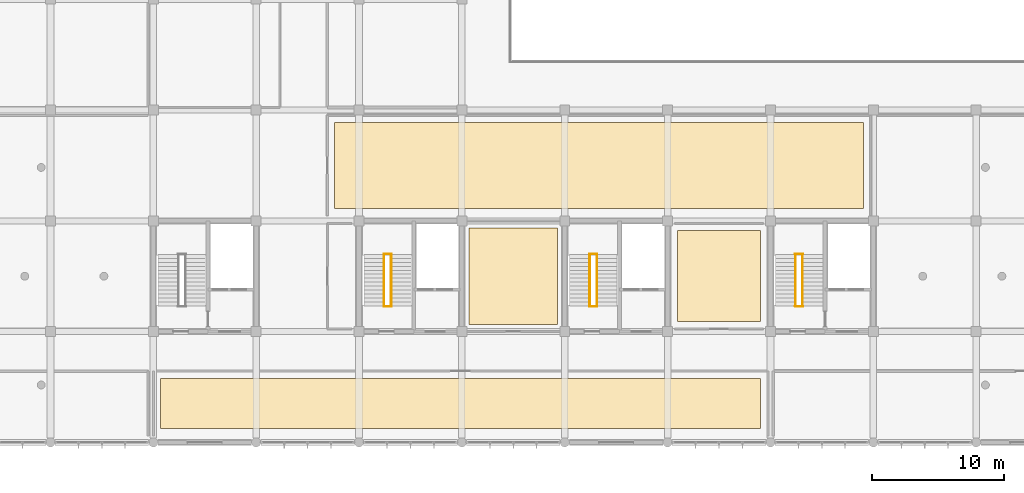
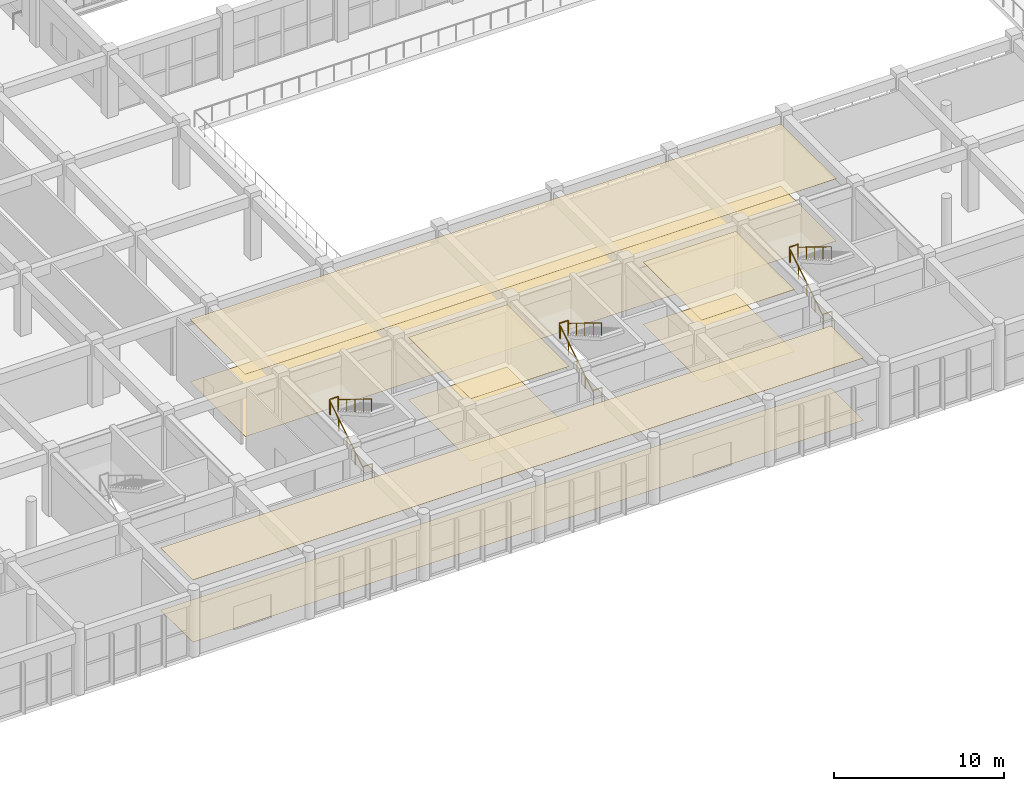
# One storey, part 171 of 175: 12 railings, 8 coverings.
"""IFC4 building model written with IfcOpenShell, lengths in metres."""

from ifc_helpers import new_model, si_unit, direction, frame, origin, origin_2d, place, context, subcontext, project, spatial, polyline, circle, hollow_circle, outline, extrude, material, layer, layer_set, material_profile, profile_set, type_object, element, save


model = new_model("IFC4")

# Units and contexts
model_context = context("Model", 3, precision=1e-05, world=origin(), true_north=direction((0.0, 1.0)))
body_context = subcontext(model_context, "Body", "Model", "MODEL_VIEW")
ifc_project = project(units=[si_unit("LENGTHUNIT", "METRE"), si_unit("AREAUNIT", "SQUARE_METRE"), si_unit("VOLUMEUNIT", "CUBIC_METRE"), si_unit("PLANEANGLEUNIT", "RADIAN"), si_unit("MASSUNIT", "GRAM", prefix="KILO")], contexts=[model_context])

# Site, building, storey
site_placement = place(None, origin())
site = spatial("IfcSite", under=ifc_project, at=site_placement, CompositionType="ELEMENT")
building_placement = place(site_placement, origin())
building = spatial("IfcBuilding", under=site, at=building_placement, Name="Zizhar Promenade General Hospital", CompositionType="ELEMENT")
storey_placement = place(building_placement, frame((0.0, 0.0, 4.800048828125)))
storey = spatial("IfcBuildingStorey", under=building, at=storey_placement, Name="L01", CompositionType="ELEMENT", Elevation=4.800048828125)

# Coverings
ifc_material_1 = material(Name="Hygienic acoustic mineral ceiling tile")
ifc_layer_1 = layer(ifc_material_1, 0.02001953125)
ifc_layer_set_1 = layer_set([ifc_layer_1], Name="Hygienic acoustic mineral ceiling tile")
covering_type_1 = type_object("IfcCoveringType", Name="COV-CLG-ACOUST-20", PredefinedType="CEILING", material=ifc_layer_set_1)
covering_1_placement = place(storey_placement, frame((0.0, 0.0, 4.4599609375)))
element("IfcCovering", 1, at=covering_1_placement, inside=storey, type_object=covering_type_1, Name="Accessible Public and Staff Toilet L01 Hygienic Ceiling", PredefinedType="CEILING", context=body_context, shape_type="SweptSolid", body=[
    extrude(outline(polyline([(70.75, 8.949951171875), (77.449951171875, 8.949951171875), (77.449951171875, 16.25), (70.75, 16.25), (70.75, 8.949951171875)])), origin(), (0.0, 0.0, 1.0), 0.02001953125),
])
covering_2_placement = place(storey_placement, frame((0.0, 0.0, 4.4599609375)))
element("IfcCovering", 2, at=covering_2_placement, inside=storey, type_object=covering_type_1, Name="Surgical High-Dependency Inpatient Ward Hygienic Ceiling", PredefinedType="CEILING", context=body_context, shape_type="SweptSolid", body=[
    extrude(outline(polyline([(47.35009765625, 1.050048828125), (92.85009765625, 1.050048828125), (92.85009765625, 4.85009765625), (47.35009765625, 4.85009765625), (47.35009765625, 1.050048828125)])), origin(), (0.0, 0.0, 1.0), 0.02001953125),
])
covering_3_placement = place(storey_placement, frame((0.0, 0.0, 4.4599609375)))
element("IfcCovering", 3, at=covering_3_placement, inside=storey, type_object=covering_type_1, Name="ICU Nurse Station and Pharmacy Satellite L01 Hygienic Ceiling", PredefinedType="CEILING", context=body_context, shape_type="SweptSolid", body=[
    extrude(outline(polyline([(86.550048828125, 9.14990234375), (92.85009765625, 9.14990234375), (92.85009765625, 16.050048828125), (86.550048828125, 16.050048828125), (86.550048828125, 9.14990234375)])), origin(), (0.0, 0.0, 1.0), 0.02001953125),
])
covering_4_placement = place(storey_placement, frame((0.0, 0.0, 4.4599609375)))
element("IfcCovering", 4, at=covering_4_placement, inside=storey, type_object=covering_type_1, Name="Clinical Haematology and Biochemistry Laboratory Hygienic Ceiling", PredefinedType="CEILING", context=body_context, shape_type="SweptSolid", body=[
    extrude(outline(polyline([(60.550048828125, 17.75), (100.64990234375, 17.75), (100.64990234375, 24.25), (60.550048828125, 24.25), (60.550048828125, 17.75)])), origin(), (0.0, 0.0, 1.0), 0.02001953125),
])
ifc_material_2 = material(Name="Seamless antimicrobial vinyl flooring")
ifc_layer_2 = layer(ifc_material_2, 0.008056640625)
ifc_layer_set_2 = layer_set([ifc_layer_2], Name="Seamless antimicrobial vinyl flooring")
covering_type_2 = type_object("IfcCoveringType", Name="COV-FLR-VINYL-08", PredefinedType="FLOORING", material=ifc_layer_set_2)
covering_5_placement = place(storey_placement, origin())
element("IfcCovering", 5, at=covering_5_placement, inside=storey, type_object=covering_type_2, Name="Accessible Public and Staff Toilet L01 Clinical Flooring", PredefinedType="FLOORING", context=body_context, shape_type="SweptSolid", body=[
    extrude(outline(polyline([(70.75, 8.949951171875), (77.449951171875, 8.949951171875), (77.449951171875, 16.25), (70.75, 16.25), (70.75, 8.949951171875)])), origin(), (0.0, 0.0, 1.0), 0.008056640625),
])
covering_6_placement = place(storey_placement, origin())
element("IfcCovering", 6, at=covering_6_placement, inside=storey, type_object=covering_type_2, Name="Surgical High-Dependency Inpatient Ward Clinical Flooring", PredefinedType="FLOORING", context=body_context, shape_type="SweptSolid", body=[
    extrude(outline(polyline([(47.35009765625, 1.050048828125), (92.85009765625, 1.050048828125), (92.85009765625, 4.85009765625), (47.35009765625, 4.85009765625), (47.35009765625, 1.050048828125)])), origin(), (0.0, 0.0, 1.0), 0.008056640625),
])
covering_7_placement = place(storey_placement, origin())
element("IfcCovering", 7, at=covering_7_placement, inside=storey, type_object=covering_type_2, Name="ICU Nurse Station and Pharmacy Satellite L01 Clinical Flooring", PredefinedType="FLOORING", context=body_context, shape_type="SweptSolid", body=[
    extrude(outline(polyline([(86.550048828125, 9.14990234375), (92.85009765625, 9.14990234375), (92.85009765625, 16.050048828125), (86.550048828125, 16.050048828125), (86.550048828125, 9.14990234375)])), origin(), (0.0, 0.0, 1.0), 0.008056640625),
])
covering_8_placement = place(storey_placement, origin())
element("IfcCovering", 8, at=covering_8_placement, inside=storey, type_object=covering_type_2, Name="Clinical Haematology and Biochemistry Laboratory Clinical Flooring", PredefinedType="FLOORING", context=body_context, shape_type="SweptSolid", body=[
    extrude(outline(polyline([(60.550048828125, 17.75), (100.64990234375, 17.75), (100.64990234375, 24.25), (60.550048828125, 24.25), (60.550048828125, 17.75)])), origin(), (0.0, 0.0, 1.0), 0.008056640625),
])

# Railings
ifc_material_3 = material(Name="Anodised aluminium 6063-T6", Category="aluminium")
ifc_material_profile_1 = material_profile(ifc_material_3, hollow_circle(Radius=0.06982421875, WallThickness=0.00634765625, at=origin_2d()))
ifc_profile_set_1 = profile_set([ifc_material_profile_1], Name="Anodised aluminium 6063-T6")
railing_type_1 = type_object("IfcRailingType", Name="RL-HANDRAIL-920", PredefinedType="HANDRAIL", material=ifc_profile_set_1)
railing_1_placement = place(storey_placement, frame((64.300048828125, 10.35009765625, 0.0)))
element("IfcRailing", 9, at=railing_1_placement, inside=storey, type_object=railing_type_1, Name="Stair ST-03 Flight 1 Handrail (L01)", PredefinedType="HANDRAIL", context=body_context, shape_type="SweptSolid", body=[
    extrude(circle(Radius=0.02392578125, at=origin_2d()), frame((0.0, 0.0, 0.89599609375), z_axis=(0.0, 0.851661977835, 0.524091476281), x_axis=(-1.0, 0.0, 0.0)), (0.0, 0.0, 1.0), 4.5791015625),
    extrude(circle(Radius=0.02099609375, at=origin_2d()), origin(), (0.0, 0.0, 1.0), 0.871826171875),
    extrude(circle(Radius=0.02099609375, at=origin_2d()), frame((0.0, 0.97509765625, 0.60009765625)), (0.0, 0.0, 1.0), 0.871826171875),
    extrude(circle(Radius=0.02099609375, at=origin_2d()), frame((0.0, 1.949951171875, 1.199951171875)), (0.0, 0.0, 1.0), 0.871826171875),
    extrude(circle(Radius=0.02099609375, at=origin_2d()), frame((0.0, 2.9248046875, 1.7998046875)), (0.0, 0.0, 1.0), 0.871826171875),
    extrude(circle(Radius=0.02099609375, at=origin_2d()), frame((0.0, 3.89990234375, 2.39990234375)), (0.0, 0.0, 1.0), 0.871826171875),
])
railing_2_placement = place(storey_placement, frame((64.840087890625, 14.25, 2.39990234375)))
element("IfcRailing", 10, at=railing_2_placement, inside=storey, type_object=railing_type_1, Name="Stair ST-03 Flight 2 Handrail (L01)", PredefinedType="HANDRAIL", context=body_context, shape_type="SweptSolid", body=[
    extrude(circle(Radius=0.02392578125, at=origin_2d()), frame((0.0, 0.0, 0.89599609375), z_axis=(0.0, -0.851638180308, 0.5241301459), x_axis=(1.0, 0.0, 0.0)), (0.0, 0.0, 1.0), 4.579345703125),
    extrude(circle(Radius=0.02099609375, at=origin_2d()), origin(), (0.0, 0.0, 1.0), 0.871826171875),
    extrude(circle(Radius=0.02099609375, at=origin_2d()), frame((0.0, -0.97509765625, 0.60009765625)), (0.0, 0.0, 1.0), 0.871826171875),
    extrude(circle(Radius=0.02099609375, at=origin_2d()), frame((0.0, -1.949951171875, 1.2001953125)), (0.0, 0.0, 1.0), 0.871826171875),
    extrude(circle(Radius=0.02099609375, at=origin_2d()), frame((0.0, -2.9248046875, 1.800048828125)), (0.0, 0.0, 1.0), 0.871826171875),
    extrude(circle(Radius=0.02099609375, at=origin_2d()), frame((0.0, -3.89990234375, 2.400146484375)), (0.0, 0.0, 1.0), 0.871826171875),
])
railing_3_placement = place(storey_placement, frame((79.89990234375, 10.35009765625, 0.0)))
element("IfcRailing", 11, at=railing_3_placement, inside=storey, type_object=railing_type_1, Name="Stair ST-04 Flight 1 Handrail (L01)", PredefinedType="HANDRAIL", context=body_context, shape_type="SweptSolid", body=[
    extrude(circle(Radius=0.02392578125, at=origin_2d()), frame((0.0, 0.0, 0.89599609375), z_axis=(0.0, 0.851661977835, 0.524091476281), x_axis=(-1.0, 0.0, 0.0)), (0.0, 0.0, 1.0), 4.5791015625),
    extrude(circle(Radius=0.02099609375, at=origin_2d()), origin(), (0.0, 0.0, 1.0), 0.871826171875),
    extrude(circle(Radius=0.02099609375, at=origin_2d()), frame((0.0, 0.97509765625, 0.60009765625)), (0.0, 0.0, 1.0), 0.871826171875),
    extrude(circle(Radius=0.02099609375, at=origin_2d()), frame((0.0, 1.949951171875, 1.199951171875)), (0.0, 0.0, 1.0), 0.871826171875),
    extrude(circle(Radius=0.02099609375, at=origin_2d()), frame((0.0, 2.9248046875, 1.7998046875)), (0.0, 0.0, 1.0), 0.871826171875),
    extrude(circle(Radius=0.02099609375, at=origin_2d()), frame((0.0, 3.89990234375, 2.39990234375)), (0.0, 0.0, 1.0), 0.871826171875),
])
railing_4_placement = place(storey_placement, frame((80.43994140625, 14.25, 2.39990234375)))
element("IfcRailing", 12, at=railing_4_placement, inside=storey, type_object=railing_type_1, Name="Stair ST-04 Flight 2 Handrail (L01)", PredefinedType="HANDRAIL", context=body_context, shape_type="SweptSolid", body=[
    extrude(circle(Radius=0.02392578125, at=origin_2d()), frame((0.0, 0.0, 0.89599609375), z_axis=(0.0, -0.851638180308, 0.5241301459), x_axis=(1.0, 0.0, 0.0)), (0.0, 0.0, 1.0), 4.579345703125),
    extrude(circle(Radius=0.02099609375, at=origin_2d()), origin(), (0.0, 0.0, 1.0), 0.871826171875),
    extrude(circle(Radius=0.02099609375, at=origin_2d()), frame((0.0, -0.97509765625, 0.60009765625)), (0.0, 0.0, 1.0), 0.871826171875),
    extrude(circle(Radius=0.02099609375, at=origin_2d()), frame((0.0, -1.949951171875, 1.2001953125)), (0.0, 0.0, 1.0), 0.871826171875),
    extrude(circle(Radius=0.02099609375, at=origin_2d()), frame((0.0, -2.9248046875, 1.800048828125)), (0.0, 0.0, 1.0), 0.871826171875),
    extrude(circle(Radius=0.02099609375, at=origin_2d()), frame((0.0, -3.89990234375, 2.400146484375)), (0.0, 0.0, 1.0), 0.871826171875),
])
railing_5_placement = place(storey_placement, frame((95.5, 10.35009765625, 0.0)))
element("IfcRailing", 13, at=railing_5_placement, inside=storey, type_object=railing_type_1, Name="Stair ST-05 Flight 1 Handrail (L01)", PredefinedType="HANDRAIL", context=body_context, shape_type="SweptSolid", body=[
    extrude(circle(Radius=0.02392578125, at=origin_2d()), frame((0.0, 0.0, 0.89599609375), z_axis=(0.0, 0.851661977835, 0.524091476281), x_axis=(-1.0, 0.0, 0.0)), (0.0, 0.0, 1.0), 4.5791015625),
    extrude(circle(Radius=0.02099609375, at=origin_2d()), origin(), (0.0, 0.0, 1.0), 0.871826171875),
    extrude(circle(Radius=0.02099609375, at=origin_2d()), frame((0.0, 0.97509765625, 0.60009765625)), (0.0, 0.0, 1.0), 0.871826171875),
    extrude(circle(Radius=0.02099609375, at=origin_2d()), frame((0.0, 1.949951171875, 1.199951171875)), (0.0, 0.0, 1.0), 0.871826171875),
    extrude(circle(Radius=0.02099609375, at=origin_2d()), frame((0.0, 2.9248046875, 1.7998046875)), (0.0, 0.0, 1.0), 0.871826171875),
    extrude(circle(Radius=0.02099609375, at=origin_2d()), frame((0.0, 3.89990234375, 2.39990234375)), (0.0, 0.0, 1.0), 0.871826171875),
])
railing_6_placement = place(storey_placement, frame((96.0400390625, 14.25, 2.39990234375)))
element("IfcRailing", 14, at=railing_6_placement, inside=storey, type_object=railing_type_1, Name="Stair ST-05 Flight 2 Handrail (L01)", PredefinedType="HANDRAIL", context=body_context, shape_type="SweptSolid", body=[
    extrude(circle(Radius=0.02392578125, at=origin_2d()), frame((0.0, 0.0, 0.89599609375), z_axis=(0.0, -0.851638180308, 0.5241301459), x_axis=(1.0, 0.0, 0.0)), (0.0, 0.0, 1.0), 4.579345703125),
    extrude(circle(Radius=0.02099609375, at=origin_2d()), origin(), (0.0, 0.0, 1.0), 0.871826171875),
    extrude(circle(Radius=0.02099609375, at=origin_2d()), frame((0.0, -0.97509765625, 0.60009765625)), (0.0, 0.0, 1.0), 0.871826171875),
    extrude(circle(Radius=0.02099609375, at=origin_2d()), frame((0.0, -1.949951171875, 1.2001953125)), (0.0, 0.0, 1.0), 0.871826171875),
    extrude(circle(Radius=0.02099609375, at=origin_2d()), frame((0.0, -2.9248046875, 1.800048828125)), (0.0, 0.0, 1.0), 0.871826171875),
    extrude(circle(Radius=0.02099609375, at=origin_2d()), frame((0.0, -3.89990234375, 2.400146484375)), (0.0, 0.0, 1.0), 0.871826171875),
])
ifc_material_4 = material(Name="Steel S355", Category="steel")
ifc_material_profile_2 = material_profile(ifc_material_4, hollow_circle(Radius=0.06982421875, WallThickness=0.00634765625, at=origin_2d()))
ifc_profile_set_2 = profile_set([ifc_material_profile_2], Name="Steel S355")
railing_type_2 = type_object("IfcRailingType", Name="RL-STAIR-GUARD-1100", PredefinedType="GUARDRAIL", material=ifc_profile_set_2)
for number, where, name in (
    (15, (64.280029296875, 14.2900390625, 2.39990234375), "Stair ST-03 Half-Landing Guard (L01)"),
    (16, (64.280029296875, 10.31005859375, 0.0), "Stair ST-03 Landing Well Guard (L01)"),
    (17, (79.8798828125, 14.2900390625, 2.39990234375), "Stair ST-04 Half-Landing Guard (L01)"),
    (18, (79.8798828125, 10.31005859375, 0.0), "Stair ST-04 Landing Well Guard (L01)"),
    (19, (95.47998046875, 14.2900390625, 2.39990234375), "Stair ST-05 Half-Landing Guard (L01)"),
    (20, (95.47998046875, 10.31005859375, 0.0), "Stair ST-05 Landing Well Guard (L01)"),
):
    element("IfcRailing", number, at=place(storey_placement, frame(where)), inside=storey, type_object=railing_type_2, Name=name, PredefinedType="GUARDRAIL", context=body_context, shape_type="SweptSolid", body=[
        extrude(circle(Radius=0.02392578125, at=origin_2d()), frame((0.0, 0.0, 1.076171875), z_axis=(1.0, 0.0, 0.0), x_axis=(0.0, 1.0, 0.0)), (0.0, 0.0, 1.0), 0.580078125),
        extrude(circle(Radius=0.02099609375, at=origin_2d()), origin(), (0.0, 0.0, 1.0), 1.052001953125),
        extrude(circle(Radius=0.02099609375, at=origin_2d()), frame((0.580078125, 0.0, 0.0)), (0.0, 0.0, 1.0), 1.052001953125),
    ])

save(model, "model.ifc")
